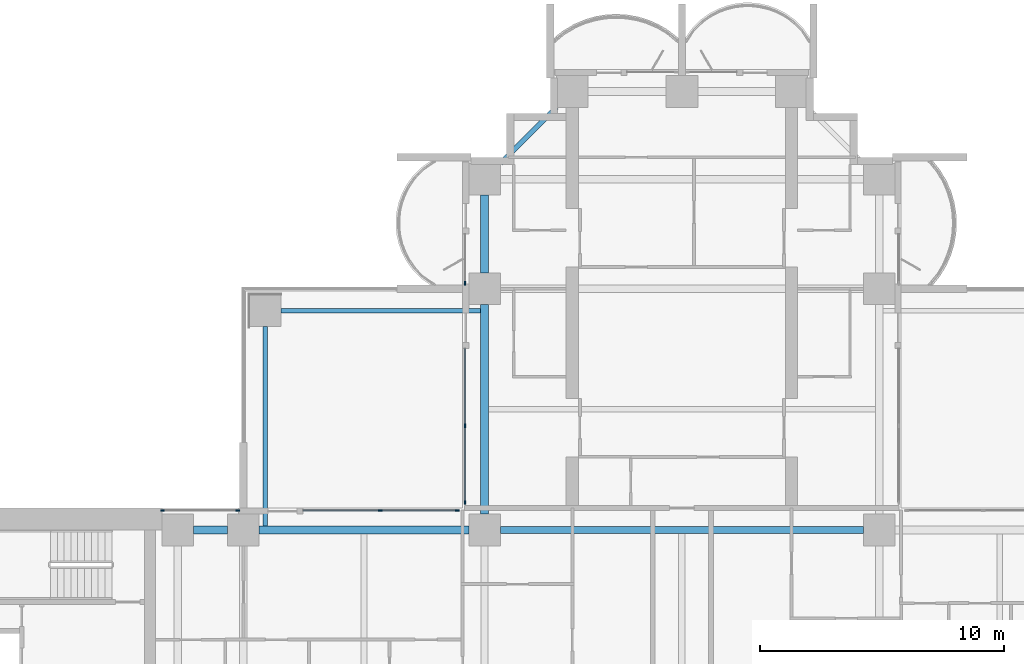
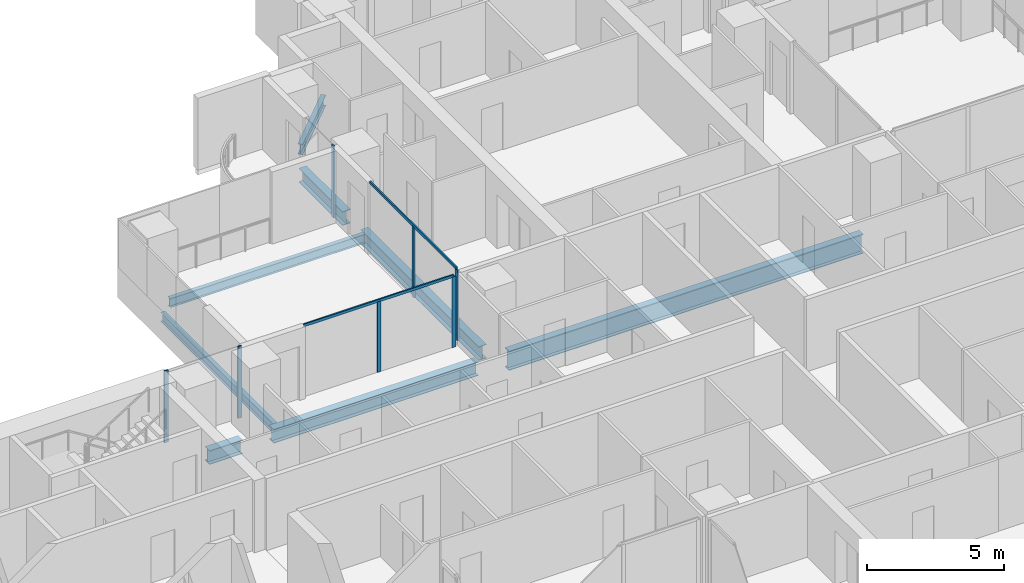
# One storey, part 5 of 21: 9 members, 8 beams, 4 elements without a shape of their own.
"""IFC4 building model written with IfcOpenShell, lengths in metres."""

from ifc_helpers import new_model, si_unit, direction, frame, origin, origin_2d, place, context, subcontext, project, spatial, rectangle, i_section, extrude, material, material_profile, profile_set, type_object, element, aggregate, save


model = new_model("IFC4")

# Units and contexts
model_context = context("Model", 3, precision=1e-05, world=origin(), true_north=direction((0.0, 1.0)))
body_context = subcontext(model_context, "Body", "Model", "MODEL_VIEW")
ifc_project = project(units=[si_unit("LENGTHUNIT", "METRE"), si_unit("AREAUNIT", "SQUARE_METRE"), si_unit("VOLUMEUNIT", "CUBIC_METRE"), si_unit("PLANEANGLEUNIT", "RADIAN"), si_unit("MASSUNIT", "GRAM", prefix="KILO")], contexts=[model_context])

# Site, building, storey
site_placement = place(None, origin())
site = spatial("IfcSite", under=ifc_project, at=site_placement, CompositionType="ELEMENT")
building_placement = place(site_placement, origin())
building = spatial("IfcBuilding", under=site, at=building_placement, Name="Perihelion Cross Residences", CompositionType="ELEMENT")
storey_placement = place(building_placement, frame((0.0, 0.0, 89.0)))
storey = spatial("IfcBuildingStorey", under=building, at=storey_placement, Name="L20", CompositionType="ELEMENT", Elevation=89.0)

# Curtain wall, member
ifc_material_1 = material(Name="Bronze anodised aluminium, tinted glazing", Category="aluminium")
curtain_wall_type = type_object("IfcCurtainWallType", Name="CW1", PredefinedType="NOTDEFINED", material=ifc_material_1)
curtain_wall_1_placement = place(storey_placement, origin())
curtain_wall_1 = element("IfcCurtainWall", 1, at=curtain_wall_1_placement, inside=storey, type_object=curtain_wall_type, Name="Curtain wall CW1 L20 north side west bay 1", PredefinedType="NOTDEFINED")
ifc_material_2 = material(Name="Bronze anodised aluminium", Category="aluminium")
ifc_material_profile_1 = material_profile(ifc_material_2, rectangle(XDim=0.06005859375, YDim=0.159912109375, at=origin_2d()), Name="CW1 mullion")
ifc_profile_set_1 = profile_set([ifc_material_profile_1], Name="Bronze anodised aluminium")
member_type_1 = type_object("IfcMemberType", Name="CW1 mullion", PredefinedType="MULLION", material=ifc_profile_set_1)
member_1_placement = place(storey_placement, frame((-8.89990234375, 18.22998046875, 0.0), z_axis=(0.0, 0.0, 1.0), x_axis=(1.0, 0.0, 0.0)))
member_1 = element("IfcMember", 2, at=member_1_placement, type_object=member_type_1, Name="CW1 mullion 2", PredefinedType="MULLION", context=body_context, shape_type="SweptSolid", body=[
    extrude(rectangle(XDim=0.06005859375, YDim=0.159912109375, at=origin_2d()), origin(), (0.0, 0.0, 1.0), 3.199951171875),
])
aggregate(curtain_wall_1, [member_1])

# Curtain wall, members
curtain_wall_2_placement = place(storey_placement, origin())
curtain_wall_2 = element("IfcCurtainWall", 3, at=curtain_wall_2_placement, inside=storey, type_object=curtain_wall_type, Name="Curtain wall CW1 L20 north side west bay 2", PredefinedType="NOTDEFINED")
member_2_placement = place(storey_placement, frame((-8.89990234375, 12.375, 0.0), z_axis=(0.0, 0.0, 1.0), x_axis=(1.0, 0.0, 0.0)))
member_2 = element("IfcMember", 4, at=member_2_placement, type_object=member_type_1, Name="CW1 mullion 2", PredefinedType="MULLION", context=body_context, shape_type="SweptSolid", body=[
    extrude(rectangle(XDim=0.06005859375, YDim=0.159912109375, at=origin_2d()), origin(), (0.0, 0.0, 1.0), 3.139892578125),
])
member_3_placement = place(storey_placement, frame((-8.89990234375, 9.22998046875, 0.0), z_axis=(0.0, 0.0, 1.0), x_axis=(1.0, 0.0, 0.0)))
member_3 = element("IfcMember", 5, at=member_3_placement, type_object=member_type_1, Name="CW1 mullion 3", PredefinedType="MULLION", context=body_context, shape_type="SweptSolid", body=[
    extrude(rectangle(XDim=0.06005859375, YDim=0.159912109375, at=origin_2d()), origin(), (0.0, 0.0, 1.0), 3.139892578125),
])

curtain_wall_3_placement = place(storey_placement, origin())
curtain_wall_3 = element("IfcCurtainWall", 6, at=curtain_wall_3_placement, inside=storey, type_object=curtain_wall_type, Name="Curtain wall CW1 L20 west side north bay 1", PredefinedType="NOTDEFINED")
member_4_placement = place(storey_placement, frame((-9.22998046875, 8.89990234375, 0.0), z_axis=(0.0, 0.0, 1.0), x_axis=(0.0, -1.0, 0.0)))
member_4 = element("IfcMember", 7, at=member_4_placement, type_object=member_type_1, Name="CW1 mullion 1", PredefinedType="MULLION", context=body_context, shape_type="SweptSolid", body=[
    extrude(rectangle(XDim=0.06005859375, YDim=0.159912109375, at=origin_2d()), origin(), (0.0, 0.0, 1.0), 3.139892578125),
])
member_5_placement = place(storey_placement, frame((-12.375, 8.89990234375, 0.0), z_axis=(0.0, 0.0, 1.0), x_axis=(0.0, -1.0, 0.0)))
member_5 = element("IfcMember", 8, at=member_5_placement, type_object=member_type_1, Name="CW1 mullion 2", PredefinedType="MULLION", context=body_context, shape_type="SweptSolid", body=[
    extrude(rectangle(XDim=0.06005859375, YDim=0.159912109375, at=origin_2d()), origin(), (0.0, 0.0, 1.0), 3.139892578125),
])

curtain_wall_4_placement = place(storey_placement, origin())
curtain_wall_4 = element("IfcCurtainWall", 9, at=curtain_wall_4_placement, inside=storey, type_object=curtain_wall_type, Name="Curtain wall CW1 L20 west side north bay 2", PredefinedType="NOTDEFINED")
member_6_placement = place(storey_placement, frame((-18.22998046875, 8.89990234375, 0.0), z_axis=(0.0, 0.0, 1.0), x_axis=(0.0, -1.0, 0.0)))
member_6 = element("IfcMember", 10, at=member_6_placement, type_object=member_type_1, Name="CW1 mullion 1", PredefinedType="MULLION", context=body_context, shape_type="SweptSolid", body=[
    extrude(rectangle(XDim=0.06005859375, YDim=0.159912109375, at=origin_2d()), origin(), (0.0, 0.0, 1.0), 3.199951171875),
])
member_7_placement = place(storey_placement, frame((-21.320068359375, 8.89990234375, 0.0), z_axis=(0.0, 0.0, 1.0), x_axis=(0.0, -1.0, 0.0)))
member_7 = element("IfcMember", 11, at=member_7_placement, type_object=member_type_1, Name="CW1 mullion 2", PredefinedType="MULLION", context=body_context, shape_type="SweptSolid", body=[
    extrude(rectangle(XDim=0.06005859375, YDim=0.159912109375, at=origin_2d()), origin(), (0.0, 0.0, 1.0), 3.199951171875),
])
aggregate(curtain_wall_4, [member_6, member_7])

# Member
ifc_material_3 = material(Name="Bronze anodised aluminium", Category="aluminium")
ifc_material_profile_2 = material_profile(ifc_material_3, rectangle(XDim=0.06005859375, YDim=0.1201171875, at=origin_2d()), Name="CW1 transom")
ifc_profile_set_2 = profile_set([ifc_material_profile_2], Name="Bronze anodised aluminium")
member_type_2 = type_object("IfcMemberType", Name="CW1 transom", PredefinedType="USERDEFINED", material=ifc_profile_set_2)
member_8_placement = place(storey_placement, frame((-8.89990234375, 15.550048828125, 3.169921875), z_axis=(0.0, -1.0, 0.0), x_axis=(1.0, 0.0, 0.0)))
member_8 = element("IfcMember", 12, at=member_8_placement, type_object=member_type_2, Name="CW1 head transom", ObjectType="TRANSOM", PredefinedType="USERDEFINED", context=body_context, shape_type="SweptSolid", body=[
    extrude(rectangle(XDim=0.06005859375, YDim=0.1201171875, at=origin_2d()), origin(), (0.0, 0.0, 1.0), 6.320068359375),
])

aggregate(curtain_wall_2, [member_2, member_3, member_8])

member_9_placement = place(storey_placement, frame((-9.22998046875, 8.89990234375, 3.169921875), z_axis=(-1.0, 0.0, 0.0), x_axis=(0.0, -1.0, 0.0)))
member_9 = element("IfcMember", 13, at=member_9_placement, type_object=member_type_2, Name="CW1 head transom", ObjectType="TRANSOM", PredefinedType="USERDEFINED", context=body_context, shape_type="SweptSolid", body=[
    extrude(rectangle(XDim=0.06005859375, YDim=0.1201171875, at=origin_2d()), origin(), (0.0, 0.0, 1.0), 6.320068359375),
])

aggregate(curtain_wall_3, [member_4, member_5, member_9])

# Beams
ifc_material_4 = material(Name="Steel S355", Category="steel")
ifc_material_profile_3 = material_profile(ifc_material_4, i_section(OverallWidth=0.177978515625, OverallDepth=0.406005859375, WebThickness=0.0078125, FlangeThickness=0.0126953125, at=origin_2d()), Name="W410x60")
ifc_profile_set_3 = profile_set([ifc_material_profile_3], Name="Steel S355")
beam_type_1 = type_object("IfcBeamType", Name="Core edge beam W410x60", PredefinedType="BEAM", material=ifc_profile_set_3)
for number, where, z_axis, x_axis, name in (
    (14, (-17.10009765625, 8.262451171875, -0.452880859375), (0.0, 1.0, 0.0), (-1.0, 0.0, 0.0), "Core edge beam TB2 L20 corner no. 3"),
    (15, (-8.262451171875, 17.10009765625, -0.452880859375), (-1.0, 0.0, 0.0), (0.0, -1.0, 0.0), "Core edge beam TB2 L20 corner no. 4"),
):
    element("IfcBeam", number, at=place(storey_placement, frame(where, z_axis=z_axis, x_axis=x_axis)), inside=storey, type_object=beam_type_1, Name=name, PredefinedType="BEAM", context=body_context, shape_type="SweptSolid", body=[
        extrude(i_section(OverallWidth=0.177978515625, OverallDepth=0.406005859375, WebThickness=0.0078125, FlangeThickness=0.0126953125, at=origin_2d()), origin(), (0.0, 0.0, 1.0), 8.1875),
    ])
ifc_material_5 = material(Name="Steel S355", Category="steel")
ifc_material_profile_4 = material_profile(ifc_material_5, i_section(OverallWidth=0.324951171875, OverallDepth=0.616943359375, WebThickness=0.013916015625, FlangeThickness=0.021484375, at=origin_2d()), Name="W610x174")
ifc_profile_set_4 = profile_set([ifc_material_profile_4], Name="Steel S355")
beam_type_2 = type_object("IfcBeamType", Name="Edge beam W610x174", PredefinedType="SPANDREL", material=ifc_profile_set_4)
beam_1_placement = place(storey_placement, frame((-8.10009765625, 21.85009765625, -0.55859375), z_axis=(0.0, -1.0, 0.0), x_axis=(1.0, 0.0, 0.0)))
element("IfcBeam", 16, at=beam_1_placement, inside=storey, type_object=beam_type_2, Name="Edge beam SB2 L20 no. 8", PredefinedType="SPANDREL", context=body_context, shape_type="SweptSolid", body=[
    extrude(i_section(OverallWidth=0.324951171875, OverallDepth=0.616943359375, WebThickness=0.013916015625, FlangeThickness=0.021484375, at=origin_2d()), origin(), (0.0, 0.0, 1.0), 3.2001953125),
])
for number, where, z_axis, x_axis, name in (
    (17, (-8.10009765625, 17.35009765625, -0.55859375), (0.0, -1.0, 0.0), (1.0, 0.0, 0.0), "Edge beam SB2 L20 no. 7"),
    (18, (-8.75, 8.10009765625, -0.55859375), (-1.0, 0.0, 0.0), (0.0, -1.0, 0.0), "Edge beam SB2 L20 no. 9"),
):
    element("IfcBeam", number, at=place(storey_placement, frame(where, z_axis=z_axis, x_axis=x_axis)), inside=storey, type_object=beam_type_2, Name=name, PredefinedType="SPANDREL", context=body_context, shape_type="SweptSolid", body=[
        extrude(i_section(OverallWidth=0.324951171875, OverallDepth=0.616943359375, WebThickness=0.013916015625, FlangeThickness=0.021484375, at=origin_2d()), origin(), (0.0, 0.0, 1.0), 8.60009765625),
    ])
beam_2_placement = place(storey_placement, frame((-18.64990234375, 8.10009765625, -0.55859375), z_axis=(-1.0, 0.0, 0.0), x_axis=(0.0, -1.0, 0.0)))
element("IfcBeam", 19, at=beam_2_placement, inside=storey, type_object=beam_type_2, Name="Edge beam SB2 L20 no. 2", PredefinedType="SPANDREL", context=body_context, shape_type="SweptSolid", body=[
    extrude(i_section(OverallWidth=0.324951171875, OverallDepth=0.616943359375, WebThickness=0.013916015625, FlangeThickness=0.021484375, at=origin_2d()), origin(), (0.0, 0.0, 1.0), 1.400146484375),
])
ifc_material_6 = material(Name="Steel S355", Category="steel")
ifc_material_profile_5 = material_profile(ifc_material_6, i_section(OverallWidth=0.2919921875, OverallDepth=0.85888671875, WebThickness=0.01708984375, FlangeThickness=0.031005859375, at=origin_2d()), Name="W840x251")
ifc_profile_set_5 = profile_set([ifc_material_profile_5], Name="Steel S355")
beam_type_3 = type_object("IfcBeamType", Name="Hub ring girder W840x251", PredefinedType="BEAM", material=ifc_profile_set_5)
beam_3_placement = place(storey_placement, frame((7.449951171875, 8.10009765625, -0.679443359375), z_axis=(-1.0, 0.0, 0.0), x_axis=(0.0, -1.0, 0.0)))
element("IfcBeam", 20, at=beam_3_placement, inside=storey, type_object=beam_type_3, Name="Hub ring girder RG2 L20 no. 4", PredefinedType="BEAM", context=body_context, shape_type="SweptSolid", body=[
    extrude(i_section(OverallWidth=0.2919921875, OverallDepth=0.85888671875, WebThickness=0.01708984375, FlangeThickness=0.031005859375, at=origin_2d()), origin(), (0.0, 0.0, 1.0), 14.89990234375),
])
ifc_material_7 = material(Name="Steel S355", Category="steel")
ifc_material_profile_6 = material_profile(ifc_material_7, i_section(OverallWidth=0.194091796875, OverallDepth=0.469970703125, WebThickness=0.0126953125, FlangeThickness=0.0205078125, at=origin_2d()), Name="W460x106")
ifc_profile_set_6 = profile_set([ifc_material_profile_6], Name="Steel S355")
beam_type_4 = type_object("IfcBeamType", Name="Serration edge beam W460x106", PredefinedType="BEAM", material=ifc_profile_set_6)
beam_4_placement = place(storey_placement, frame((-5.14990234375, 25.449951171875, -0.485107421875), z_axis=(-0.707106781187, -0.707106781187, 0.0), x_axis=(0.707106781187, -0.707106781187, 0.0)))
element("IfcBeam", 21, at=beam_4_placement, inside=storey, type_object=beam_type_4, Name="Serration edge beam EB2 L20 no. 1", PredefinedType="BEAM", context=body_context, shape_type="SweptSolid", body=[
    extrude(i_section(OverallWidth=0.194091796875, OverallDepth=0.469970703125, WebThickness=0.0126953125, FlangeThickness=0.0205078125, at=origin_2d()), origin(), (0.0, 0.0, 1.0), 3.252685546875),
])

save(model, "model.ifc")
